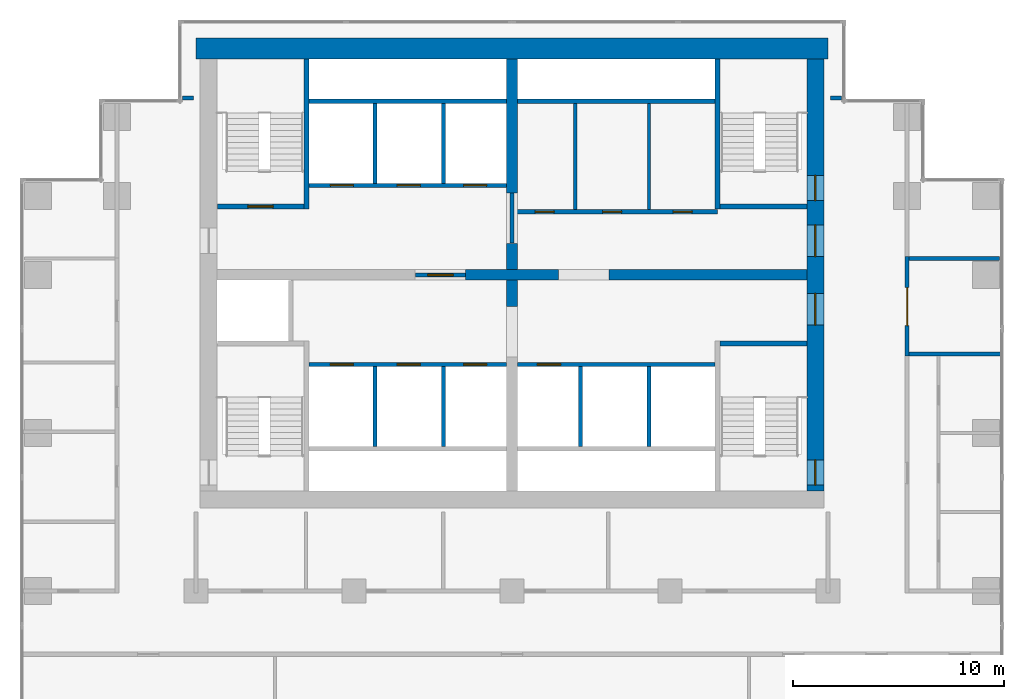
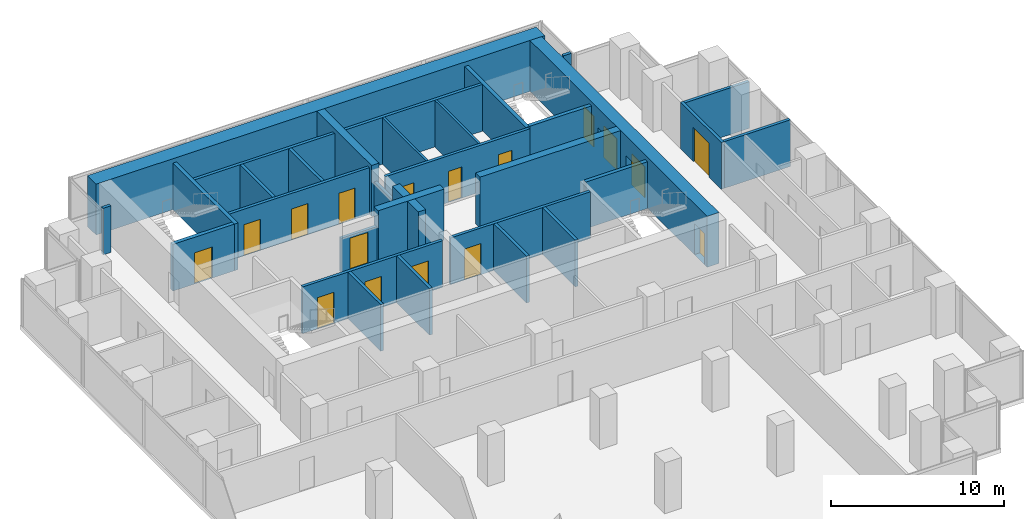
# One storey, part 8 of 10: 33 walls, 17 doors, 17 openings.
"""IFC4 building model written with IfcOpenShell, lengths in metres."""

from ifc_helpers import new_model, si_unit, direction, frame, frame_2d, origin, place, context, subcontext, project, spatial, rectangle, extrude, material, layer, layer_set, type_object, element, fill, save


model = new_model("IFC4")

# Units and contexts
model_context = context("Model", 3, precision=1e-05, world=origin(), true_north=direction((0.0, 1.0)))
body_context = subcontext(model_context, "Body", "Model", "MODEL_VIEW")
ifc_project = project(units=[si_unit("LENGTHUNIT", "METRE"), si_unit("AREAUNIT", "SQUARE_METRE"), si_unit("VOLUMEUNIT", "CUBIC_METRE"), si_unit("PLANEANGLEUNIT", "RADIAN"), si_unit("MASSUNIT", "GRAM", prefix="KILO")], contexts=[model_context])

# Site, building, storey
site_placement = place(None, origin())
site = spatial("IfcSite", under=ifc_project, at=site_placement, CompositionType="ELEMENT")
building_placement = place(site_placement, origin())
building = spatial("IfcBuilding", under=site, at=building_placement, Name="Pilkhan Gate Tower", CompositionType="ELEMENT")
storey_placement = place(building_placement, frame((0.0, 0.0, 114.39990234375)))
storey = spatial("IfcBuildingStorey", under=building, at=storey_placement, Name="L28", CompositionType="ELEMENT", Elevation=114.39990234375)

# Wall
ifc_material_1 = material(Name="Concrete C60/75", Category="concrete")
ifc_layer_1 = layer(ifc_material_1, 1.0)
ifc_layer_set_1 = layer_set([ifc_layer_1], Name="Core wall CW1000 C60/75")
wall_type_1 = type_object("IfcWallType", Name="Core wall CW1000 C60/75", PredefinedType="SHEAR", material=ifc_layer_set_1)
wall_1_placement = place(storey_placement, frame((90.0, 93.25, 0.0), z_axis=(0.0, 0.0, 1.0), x_axis=(-1.0, 0.0, 0.0)))
element("IfcWall", 1, at=wall_1_placement, inside=storey, type_object=wall_type_1, Name="Core wall N L28", PredefinedType="SHEAR", context=body_context, shape_type="SweptSolid", body=[
    extrude(rectangle(XDim=30.0, YDim=1.0, at=frame_2d((15.0, 0.0))), origin(), (0.0, 0.0, 1.0), 3.60009765625),
])

# Wall, openings, doors
ifc_layer_2 = layer(ifc_material_1, 0.800048828125)
ifc_layer_set_2 = layer_set([ifc_layer_2], Name="Core wall CW800 C60/75")
wall_type_2 = type_object("IfcWallType", Name="Core wall CW800 C60/75", PredefinedType="SHEAR", material=ifc_layer_set_2)
wall_2_placement = place(storey_placement, frame((89.39990234375, 72.25, 0.0), z_axis=(0.0, 0.0, 1.0), x_axis=(0.0, 1.0, 0.0)))
wall_2 = element("IfcWall", 2, at=wall_2_placement, inside=storey, type_object=wall_type_2, Name="Core wall E L28", PredefinedType="SHEAR", context=body_context, shape_type="SweptSolid", body=[
    extrude(rectangle(XDim=20.5, YDim=0.800048828125, at=frame_2d((10.25, 0.0))), origin(), (0.0, 0.0, 1.0), 3.60009765625),
])
opening_1_placement = place(wall_2_placement, frame((0.27490234375, 0.0, 0.0)))
opening_1 = element("IfcOpeningElement", 3, at=opening_1_placement, cuts=wall_2, Name="Opening L28-03", PredefinedType="OPENING", context=body_context, shape_type="SweptSolid", body=[
    extrude(rectangle(XDim=1.199951171875, YDim=2.199951171875, at=frame_2d((0.60009765625, 1.10009765625))), frame((0.0, 0.409912109375, 0.0), z_axis=(0.0, -1.0, 0.0), x_axis=(1.0, 0.0, 0.0)), (0.0, 0.0, 1.0), 0.820068359375),
])
opening_2_placement = place(wall_2_placement, frame((13.77490234375, 0.0, 0.0)))
opening_2 = element("IfcOpeningElement", 4, at=opening_2_placement, cuts=wall_2, Name="Opening L28-05", PredefinedType="OPENING", context=body_context, shape_type="SweptSolid", body=[
    extrude(rectangle(XDim=1.199951171875, YDim=2.199951171875, at=frame_2d((0.60009765625, 1.10009765625))), frame((0.0, 0.409912109375, 0.0), z_axis=(0.0, -1.0, 0.0), x_axis=(1.0, 0.0, 0.0)), (0.0, 0.0, 1.0), 0.820068359375),
])
opening_3_placement = place(wall_2_placement, frame((7.875, 0.0, 0.0)))
opening_3 = element("IfcOpeningElement", 5, at=opening_3_placement, cuts=wall_2, Name="Opening L28-08", PredefinedType="OPENING", context=body_context, shape_type="SweptSolid", body=[
    extrude(rectangle(XDim=1.5, YDim=2.199951171875, at=frame_2d((0.75, 1.10009765625))), frame((0.0, 0.409912109375, 0.0), z_axis=(0.0, -1.0, 0.0), x_axis=(1.0, 0.0, 0.0)), (0.0, 0.0, 1.0), 0.820068359375),
])
opening_4_placement = place(wall_2_placement, frame((11.125, 0.0, 0.0)))
opening_4 = element("IfcOpeningElement", 6, at=opening_4_placement, cuts=wall_2, Name="Opening L28-10", PredefinedType="OPENING", context=body_context, shape_type="SweptSolid", body=[
    extrude(rectangle(XDim=1.5, YDim=2.199951171875, at=frame_2d((0.75, 1.10009765625))), frame((0.0, 0.409912109375, 0.0), z_axis=(0.0, -1.0, 0.0), x_axis=(1.0, 0.0, 0.0)), (0.0, 0.0, 1.0), 0.820068359375),
])
ifc_material_2 = material(Name="Steel framed glazed door, 60 minute fire resisting", Category="steel")
door_type_1 = type_object("IfcDoorType", Name="Lobby door D09 1500x2200", OperationType="DOUBLE_DOOR_SINGLE_SWING", PredefinedType="DOOR", material=ifc_material_2)
door_1_placement = place(opening_3_placement, origin())
door_1 = element("IfcDoor", 7, at=door_1_placement, inside=storey, type_object=door_type_1, Name="Core door", OperationType="DOUBLE_DOOR_SINGLE_SWING", OverallHeight=2.199951171875, OverallWidth=1.5, PredefinedType="DOOR", context=body_context, shape_type="SweptSolid", body=[
    extrude(rectangle(XDim=1.5, YDim=2.199951171875, at=frame_2d((0.75, 1.10009765625))), frame((0.0, 0.02490234375, 0.0), z_axis=(0.0, -1.0, 0.0), x_axis=(1.0, 0.0, 0.0)), (0.0, 0.0, 1.0), 0.050048828125),
])
fill(opening_3, door_1)
door_2_placement = place(opening_4_placement, origin())
door_2 = element("IfcDoor", 8, at=door_2_placement, inside=storey, type_object=door_type_1, Name="Core door", OperationType="DOUBLE_DOOR_SINGLE_SWING", OverallHeight=2.199951171875, OverallWidth=1.5, PredefinedType="DOOR", context=body_context, shape_type="SweptSolid", body=[
    extrude(rectangle(XDim=1.5, YDim=2.199951171875, at=frame_2d((0.75, 1.10009765625))), frame((0.0, 0.02490234375, 0.0), z_axis=(0.0, -1.0, 0.0), x_axis=(1.0, 0.0, 0.0)), (0.0, 0.0, 1.0), 0.050048828125),
])
fill(opening_4, door_2)
ifc_material_3 = material(Name="Steel door, 120 minute fire resisting, panic bar", Category="steel")
door_type_2 = type_object("IfcDoorType", Name="Stair door D11 1200x2200", OperationType="SINGLE_SWING_LEFT", PredefinedType="DOOR", material=ifc_material_3)
door_3_placement = place(opening_1_placement, origin())
door_3 = element("IfcDoor", 9, at=door_3_placement, inside=storey, type_object=door_type_2, Name="Stair ST1 door", OperationType="SINGLE_SWING_LEFT", OverallHeight=2.199951171875, OverallWidth=1.199951171875, PredefinedType="DOOR", context=body_context, shape_type="SweptSolid", body=[
    extrude(rectangle(XDim=1.199951171875, YDim=2.199951171875, at=frame_2d((0.60009765625, 1.10009765625))), frame((0.0, 0.02490234375, 0.0), z_axis=(0.0, -1.0, 0.0), x_axis=(1.0, 0.0, 0.0)), (0.0, 0.0, 1.0), 0.050048828125),
])
fill(opening_1, door_3)
door_4_placement = place(opening_2_placement, origin())
door_4 = element("IfcDoor", 10, at=door_4_placement, inside=storey, type_object=door_type_2, Name="Stair ST4 door", OperationType="SINGLE_SWING_LEFT", OverallHeight=2.199951171875, OverallWidth=1.199951171875, PredefinedType="DOOR", context=body_context, shape_type="SweptSolid", body=[
    extrude(rectangle(XDim=1.199951171875, YDim=2.199951171875, at=frame_2d((0.60009765625, 1.10009765625))), frame((0.0, 0.02490234375, 0.0), z_axis=(0.0, -1.0, 0.0), x_axis=(1.0, 0.0, 0.0)), (0.0, 0.0, 1.0), 0.050048828125),
])
fill(opening_2, door_4)

# Walls
ifc_material_4 = material(Name="Dense blockwork", Category="masonry")
ifc_layer_3 = layer(ifc_material_4, 0.199951171875)
ifc_layer_set_3 = layer_set([ifc_layer_3], Name="Corridor wall FW200")
wall_type_3 = type_object("IfcWallType", Name="Corridor wall FW200", PredefinedType="PARTITIONING", material=ifc_layer_set_3)
for number, where, z_axis, x_axis, name in (
    (11, (59.35498046875, 90.89990234375, 0.0), (0.0, 0.0, 1.0), (1.0, 0.0, 0.0), "Partition L28"),
    (12, (90.1201171875, 90.89990234375, 0.0), (0.0, 0.0, 1.0), (1.0, 0.0, 0.0), "Partition L28"),
):
    element("IfcWall", number, at=place(storey_placement, frame(where, z_axis=z_axis, x_axis=x_axis)), inside=storey, type_object=wall_type_3, Name=name, PredefinedType="PARTITIONING", context=body_context, shape_type="SweptSolid", body=[
        extrude(rectangle(XDim=0.52490234375, YDim=0.199951171875, at=frame_2d((0.262451171875, 0.0))), origin(), (0.0, 0.0, 1.0), 3.300048828125),
    ])
ifc_layer_4 = layer(ifc_material_4, 0.199951171875)
ifc_layer_set_4 = layer_set([ifc_layer_4], Name="Lobby wall LW200")
wall_type_4 = type_object("IfcWallType", Name="Lobby wall LW200", PredefinedType="PARTITIONING", material=ifc_layer_set_4)
wall_3_placement = place(storey_placement, frame((93.85009765625, 78.75, 0.0), z_axis=(0.0, 0.0, 1.0), x_axis=(1.0, 0.0, 0.0)))
element("IfcWall", 13, at=wall_3_placement, inside=storey, type_object=wall_type_4, Name="Partition L28", PredefinedType="PARTITIONING", context=body_context, shape_type="SweptSolid", body=[
    extrude(rectangle(XDim=4.414794921875, YDim=0.199951171875, at=frame_2d((2.20751953125, 0.0))), origin(), (0.0, 0.0, 1.0), 3.300048828125),
])

# Wall, opening, door
wall_4_placement = place(storey_placement, frame((70.409912109375, 82.5, 0.0), z_axis=(0.0, 0.0, 1.0), x_axis=(1.0, 0.0, 0.0)))
wall_4 = element("IfcWall", 14, at=wall_4_placement, inside=storey, type_object=wall_type_4, Name="Partition L28", PredefinedType="PARTITIONING", context=body_context, shape_type="SweptSolid", body=[
    extrude(rectangle(XDim=2.380126953125, YDim=0.199951171875, at=frame_2d((1.18994140625, 0.0))), origin(), (0.0, 0.0, 1.0), 2.400146484375),
])
opening_5_placement = place(wall_4_placement, frame((0.60009765625, 0.0, 0.0)))
opening_5 = element("IfcOpeningElement", 15, at=opening_5_placement, cuts=wall_4, Name="Opening L28-01", PredefinedType="OPENING", context=body_context, shape_type="SweptSolid", body=[
    extrude(rectangle(XDim=1.199951171875, YDim=2.199951171875, at=frame_2d((0.60009765625, 1.10009765625))), frame((0.0, 0.10986328125, 0.0), z_axis=(0.0, -1.0, 0.0), x_axis=(1.0, 0.0, 0.0)), (0.0, 0.0, 1.0), 0.219970703125),
])
ifc_material_5 = material(Name="Steel door, 120 minute fire resisting, self-closing", Category="steel")
door_type_3 = type_object("IfcDoorType", Name="Firefighting lobby door D10 1200x2200", OperationType="SINGLE_SWING_LEFT", PredefinedType="DOOR", material=ifc_material_5)
door_5_placement = place(opening_5_placement, origin())
door_5 = element("IfcDoor", 16, at=door_5_placement, inside=storey, type_object=door_type_3, Name="Firefighting lobby door", OperationType="SINGLE_SWING_RIGHT", OverallHeight=2.199951171875, OverallWidth=1.199951171875, PredefinedType="DOOR", context=body_context, shape_type="SweptSolid", body=[
    extrude(rectangle(XDim=1.199951171875, YDim=2.199951171875, at=frame_2d((0.60009765625, 1.10009765625))), frame((0.0, 0.02490234375, 0.0), z_axis=(0.0, -1.0, 0.0), x_axis=(1.0, 0.0, 0.0)), (0.0, 0.0, 1.0), 0.050048828125),
])
fill(opening_5, door_5)

# Wall
wall_5_placement = place(storey_placement, frame((93.85009765625, 83.280029296875, 0.0), z_axis=(0.0, 0.0, 1.0), x_axis=(1.0, 0.0, 0.0)))
element("IfcWall", 17, at=wall_5_placement, inside=storey, type_object=wall_type_4, Name="Partition L28", PredefinedType="PARTITIONING", context=body_context, shape_type="SweptSolid", body=[
    extrude(rectangle(XDim=4.294921875, YDim=0.199951171875, at=frame_2d((2.1474609375, 0.0))), origin(), (0.0, 0.0, 1.0), 3.300048828125),
])

# Wall, openings, doors
wall_6_placement = place(storey_placement, frame((75.10009765625, 85.5, 0.0), z_axis=(0.0, 0.0, 1.0), x_axis=(1.0, 0.0, 0.0)))
wall_6 = element("IfcWall", 18, at=wall_6_placement, inside=storey, type_object=wall_type_4, Name="Partition L28", PredefinedType="PARTITIONING", context=body_context, shape_type="SweptSolid", body=[
    extrude(rectangle(XDim=9.64990234375, YDim=0.199951171875, at=frame_2d((4.824951171875, 0.0))), origin(), (0.0, 0.0, 1.0), 3.300048828125),
])
opening_6_placement = place(wall_6_placement, frame((1.0, 0.0, 0.0)))
opening_6 = element("IfcOpeningElement", 19, at=opening_6_placement, cuts=wall_6, Name="Opening L28-11", PredefinedType="OPENING", context=body_context, shape_type="SweptSolid", body=[
    extrude(rectangle(XDim=0.89990234375, YDim=2.199951171875, at=frame_2d((0.449951171875, 1.10009765625))), frame((0.0, 0.10986328125, 0.0), z_axis=(0.0, -1.0, 0.0), x_axis=(1.0, 0.0, 0.0)), (0.0, 0.0, 1.0), 0.219970703125),
])
opening_7_placement = place(wall_6_placement, frame((4.199951171875, 0.0, 0.0)))
opening_7 = element("IfcOpeningElement", 20, at=opening_7_placement, cuts=wall_6, Name="Opening L28-12", PredefinedType="OPENING", context=body_context, shape_type="SweptSolid", body=[
    extrude(rectangle(XDim=0.89990234375, YDim=2.199951171875, at=frame_2d((0.449951171875, 1.10009765625))), frame((0.0, 0.10986328125, 0.0), z_axis=(0.0, -1.0, 0.0), x_axis=(1.0, 0.0, 0.0)), (0.0, 0.0, 1.0), 0.219970703125),
])
opening_8_placement = place(wall_6_placement, frame((7.550048828125, 0.0, 0.0)))
opening_8 = element("IfcOpeningElement", 21, at=opening_8_placement, cuts=wall_6, Name="Opening L28-13", PredefinedType="OPENING", context=body_context, shape_type="SweptSolid", body=[
    extrude(rectangle(XDim=0.89990234375, YDim=2.199951171875, at=frame_2d((0.449951171875, 1.10009765625))), frame((0.0, 0.10986328125, 0.0), z_axis=(0.0, -1.0, 0.0), x_axis=(1.0, 0.0, 0.0)), (0.0, 0.0, 1.0), 0.219970703125),
])
ifc_material_6 = material(Name="Timber flush door, 60 minute fire resisting, self-closing", Category="wood")
door_type_4 = type_object("IfcDoorType", Name="Store door D05 900x2200", OperationType="SINGLE_SWING_LEFT", PredefinedType="DOOR", material=ifc_material_6)
door_6_placement = place(opening_7_placement, origin())
door_6 = element("IfcDoor", 22, at=door_6_placement, inside=storey, type_object=door_type_4, Name="Store door", OperationType="SINGLE_SWING_LEFT", OverallHeight=2.199951171875, OverallWidth=0.89990234375, PredefinedType="DOOR", context=body_context, shape_type="SweptSolid", body=[
    extrude(rectangle(XDim=0.89990234375, YDim=2.199951171875, at=frame_2d((0.449951171875, 1.10009765625))), frame((0.0, 0.02490234375, 0.0), z_axis=(0.0, -1.0, 0.0), x_axis=(1.0, 0.0, 0.0)), (0.0, 0.0, 1.0), 0.050048828125),
])
fill(opening_7, door_6)
door_7_placement = place(opening_8_placement, origin())
door_7 = element("IfcDoor", 23, at=door_7_placement, inside=storey, type_object=door_type_4, Name="Store door", OperationType="SINGLE_SWING_LEFT", OverallHeight=2.199951171875, OverallWidth=0.89990234375, PredefinedType="DOOR", context=body_context, shape_type="SweptSolid", body=[
    extrude(rectangle(XDim=0.89990234375, YDim=2.199951171875, at=frame_2d((0.449951171875, 1.10009765625))), frame((0.0, 0.02490234375, 0.0), z_axis=(0.0, -1.0, 0.0), x_axis=(1.0, 0.0, 0.0)), (0.0, 0.0, 1.0), 0.050048828125),
])
fill(opening_8, door_7)
ifc_material_7 = material(Name="Timber flush door, 30 minute fire resisting", Category="wood")
door_type_5 = type_object("IfcDoorType", Name="Toilet door D06 900x2200", OperationType="SINGLE_SWING_LEFT", PredefinedType="DOOR", material=ifc_material_7)
door_8_placement = place(opening_6_placement, origin())
door_8 = element("IfcDoor", 24, at=door_8_placement, inside=storey, type_object=door_type_5, Name="Toilet door", OperationType="SINGLE_SWING_RIGHT", OverallHeight=2.199951171875, OverallWidth=0.89990234375, PredefinedType="DOOR", context=body_context, shape_type="SweptSolid", body=[
    extrude(rectangle(XDim=0.89990234375, YDim=2.199951171875, at=frame_2d((0.449951171875, 1.10009765625))), frame((0.0, 0.02490234375, 0.0), z_axis=(0.0, -1.0, 0.0), x_axis=(1.0, 0.0, 0.0)), (0.0, 0.0, 1.0), 0.050048828125),
])
fill(opening_6, door_8)

# Walls
wall_7_placement = place(storey_placement, frame((75.260009765625, 90.75, 0.0), z_axis=(0.0, 0.0, 1.0), x_axis=(1.0, 0.0, 0.0)))
element("IfcWall", 25, at=wall_7_placement, inside=storey, type_object=wall_type_4, Name="Partition L28", PredefinedType="PARTITIONING", context=body_context, shape_type="SweptSolid", body=[
    extrude(rectangle(XDim=9.364990234375, YDim=0.199951171875, at=frame_2d((4.6826171875, 0.0))), origin(), (0.0, 0.0, 1.0), 3.300048828125),
])
wall_8_placement = place(storey_placement, frame((75.0, 84.010009765625, 0.0), z_axis=(0.0, 0.0, 1.0), x_axis=(0.0, 1.0, 0.0)))
element("IfcWall", 26, at=wall_8_placement, inside=storey, type_object=wall_type_4, Name="Partition L28", PredefinedType="PARTITIONING", context=body_context, shape_type="SweptSolid", body=[
    extrude(rectangle(XDim=2.3798828125, YDim=0.199951171875, at=frame_2d((1.18994140625, 0.0))), origin(), (0.0, 0.0, 1.0), 2.400146484375),
])

# Wall, opening, door
wall_9_placement = place(storey_placement, frame((93.75, 78.64990234375, 0.0), z_axis=(0.0, 0.0, 1.0), x_axis=(0.0, 1.0, 0.0)))
wall_9 = element("IfcWall", 27, at=wall_9_placement, inside=storey, type_object=wall_type_4, Name="Partition L28", PredefinedType="PARTITIONING", context=body_context, shape_type="SweptSolid", body=[
    extrude(rectangle(XDim=4.72998046875, YDim=0.199951171875, at=frame_2d((2.364990234375, 0.0))), origin(), (0.0, 0.0, 1.0), 3.300048828125),
])
opening_9_placement = place(wall_9_placement, frame((1.449951171875, 0.0, 0.0)))
opening_9 = element("IfcOpeningElement", 28, at=opening_9_placement, cuts=wall_9, Name="Opening L28-26", PredefinedType="OPENING", context=body_context, shape_type="SweptSolid", body=[
    extrude(rectangle(XDim=1.800048828125, YDim=2.39990234375, at=frame_2d((0.89990234375, 1.199951171875))), frame((0.0, 0.10986328125, 0.0), z_axis=(0.0, -1.0, 0.0), x_axis=(1.0, 0.0, 0.0)), (0.0, 0.0, 1.0), 0.219970703125),
])
ifc_material_8 = material(Name="Steel door, 120 minute fire resisting", Category="steel")
door_type_6 = type_object("IfcDoorType", Name="Plant room door D08 1800x2400", OperationType="DOUBLE_DOOR_SINGLE_SWING", PredefinedType="DOOR", material=ifc_material_8)
door_9_placement = place(opening_9_placement, origin())
door_9 = element("IfcDoor", 29, at=door_9_placement, inside=storey, type_object=door_type_6, Name="Plant room door", OperationType="DOUBLE_DOOR_SINGLE_SWING", OverallHeight=2.39990234375, OverallWidth=1.800048828125, PredefinedType="DOOR", context=body_context, shape_type="SweptSolid", body=[
    extrude(rectangle(XDim=1.800048828125, YDim=2.39990234375, at=frame_2d((0.89990234375, 1.199951171875))), frame((0.0, 0.02490234375, 0.0), z_axis=(0.0, -1.0, 0.0), x_axis=(1.0, 0.0, 0.0)), (0.0, 0.0, 1.0), 0.050048828125),
])
fill(opening_9, door_9)

# Walls
ifc_material_9 = material(Name="Blockwork partition, plastered both sides", Category="masonry")
ifc_layer_5 = layer(ifc_material_9, 0.14990234375)
ifc_layer_set_5 = layer_set([ifc_layer_5], Name="Partition PW150")
wall_type_5 = type_object("IfcWallType", Name="Partition PW150", PredefinedType="PARTITIONING", material=ifc_layer_set_5)
for number, where, z_axis, x_axis, name in (
    (30, (78.0, 85.60009765625, 0.0), (0.0, 0.0, 1.0), (0.0, 1.0, 0.0), "Partition L28"),
    (31, (81.5, 85.60009765625, 0.0), (0.0, 0.0, 1.0), (0.0, 1.0, 0.0), "Partition L28"),
):
    element("IfcWall", number, at=place(storey_placement, frame(where, z_axis=z_axis, x_axis=x_axis)), inside=storey, type_object=wall_type_5, Name=name, PredefinedType="PARTITIONING", context=body_context, shape_type="SweptSolid", body=[
        extrude(rectangle(XDim=5.0498046875, YDim=0.14990234375, at=frame_2d((2.52490234375, 0.0))), origin(), (0.0, 0.0, 1.0), 3.300048828125),
    ])

# Wall, openings, doors
ifc_material_10 = material(Name="Reinforced blockwork shaft wall, 120 minute fire resisting", Category="masonry")
ifc_layer_6 = layer(ifc_material_10, 0.199951171875)
ifc_layer_set_6 = layer_set([ifc_layer_6], Name="Shaft wall SW200")
wall_type_6 = type_object("IfcWallType", Name="Shaft wall SW200", PredefinedType="PARTITIONING", material=ifc_layer_set_6)
wall_10_placement = place(storey_placement, frame((65.375, 78.25, 0.0), z_axis=(0.0, 0.0, 1.0), x_axis=(1.0, 0.0, 0.0)))
wall_10 = element("IfcWall", 32, at=wall_10_placement, inside=storey, type_object=wall_type_6, Name="Partition L28", PredefinedType="PARTITIONING", context=body_context, shape_type="SweptSolid", body=[
    extrude(rectangle(XDim=9.364990234375, YDim=0.199951171875, at=frame_2d((4.6826171875, 0.0))), origin(), (0.0, 0.0, 1.0), 3.300048828125),
])
opening_10_placement = place(wall_10_placement, frame((1.0, 0.0, 0.0)))
opening_10 = element("IfcOpeningElement", 33, at=opening_10_placement, cuts=wall_10, Name="Opening LD", PredefinedType="OPENING", context=body_context, shape_type="SweptSolid", body=[
    extrude(rectangle(XDim=1.10009765625, YDim=2.199951171875, at=frame_2d((0.550048828125, 1.10009765625))), frame((0.0, 0.10986328125, 0.0), z_axis=(0.0, -1.0, 0.0), x_axis=(1.0, 0.0, 0.0)), (0.0, 0.0, 1.0), 0.219970703125),
])
opening_11_placement = place(wall_10_placement, frame((4.175048828125, 0.0, 0.0)))
opening_11 = element("IfcOpeningElement", 34, at=opening_11_placement, cuts=wall_10, Name="Opening LD", PredefinedType="OPENING", context=body_context, shape_type="SweptSolid", body=[
    extrude(rectangle(XDim=1.10009765625, YDim=2.199951171875, at=frame_2d((0.550048828125, 1.10009765625))), frame((0.0, 0.10986328125, 0.0), z_axis=(0.0, -1.0, 0.0), x_axis=(1.0, 0.0, 0.0)), (0.0, 0.0, 1.0), 0.219970703125),
])
opening_12_placement = place(wall_10_placement, frame((7.324951171875, 0.0, 0.0)))
opening_12 = element("IfcOpeningElement", 35, at=opening_12_placement, cuts=wall_10, Name="Opening LD", PredefinedType="OPENING", context=body_context, shape_type="SweptSolid", body=[
    extrude(rectangle(XDim=1.10009765625, YDim=2.199951171875, at=frame_2d((0.550048828125, 1.10009765625))), frame((0.0, 0.10986328125, 0.0), z_axis=(0.0, -1.0, 0.0), x_axis=(1.0, 0.0, 0.0)), (0.0, 0.0, 1.0), 0.219970703125),
])
ifc_material_11 = material(Name="Stainless steel centre-opening landing door, 120 minute fire resisting", Category="steel")
door_type_7 = type_object("IfcDoorType", Name="Lift landing door LD 1100x2200", OperationType="DOUBLE_DOOR_SLIDING", PredefinedType="DOOR", material=ifc_material_11)
door_10_placement = place(opening_10_placement, origin())
door_10 = element("IfcDoor", 36, at=door_10_placement, inside=storey, type_object=door_type_7, Name="Landing door LR1", OperationType="DOUBLE_DOOR_SLIDING", OverallHeight=2.199951171875, OverallWidth=1.10009765625, PredefinedType="DOOR", context=body_context, shape_type="SweptSolid", body=[
    extrude(rectangle(XDim=1.10009765625, YDim=2.199951171875, at=frame_2d((0.550048828125, 1.10009765625))), frame((0.0, 0.02490234375, 0.0), z_axis=(0.0, -1.0, 0.0), x_axis=(1.0, 0.0, 0.0)), (0.0, 0.0, 1.0), 0.050048828125),
])
fill(opening_10, door_10)
door_11_placement = place(opening_11_placement, origin())
door_11 = element("IfcDoor", 37, at=door_11_placement, inside=storey, type_object=door_type_7, Name="Landing door LR2", OperationType="DOUBLE_DOOR_SLIDING", OverallHeight=2.199951171875, OverallWidth=1.10009765625, PredefinedType="DOOR", context=body_context, shape_type="SweptSolid", body=[
    extrude(rectangle(XDim=1.10009765625, YDim=2.199951171875, at=frame_2d((0.550048828125, 1.10009765625))), frame((0.0, 0.02490234375, 0.0), z_axis=(0.0, -1.0, 0.0), x_axis=(1.0, 0.0, 0.0)), (0.0, 0.0, 1.0), 0.050048828125),
])
fill(opening_11, door_11)
door_12_placement = place(opening_12_placement, origin())
door_12 = element("IfcDoor", 38, at=door_12_placement, inside=storey, type_object=door_type_7, Name="Landing door LR3", OperationType="DOUBLE_DOOR_SLIDING", OverallHeight=2.199951171875, OverallWidth=1.10009765625, PredefinedType="DOOR", context=body_context, shape_type="SweptSolid", body=[
    extrude(rectangle(XDim=1.10009765625, YDim=2.199951171875, at=frame_2d((0.550048828125, 1.10009765625))), frame((0.0, 0.02490234375, 0.0), z_axis=(0.0, -1.0, 0.0), x_axis=(1.0, 0.0, 0.0)), (0.0, 0.0, 1.0), 0.050048828125),
])
fill(opening_12, door_12)

# Wall, opening, door
wall_11_placement = place(storey_placement, frame((75.260009765625, 78.25, 0.0), z_axis=(0.0, 0.0, 1.0), x_axis=(1.0, 0.0, 0.0)))
wall_11 = element("IfcWall", 39, at=wall_11_placement, inside=storey, type_object=wall_type_6, Name="Partition L28", PredefinedType="PARTITIONING", context=body_context, shape_type="SweptSolid", body=[
    extrude(rectangle(XDim=9.364990234375, YDim=0.199951171875, at=frame_2d((4.6826171875, 0.0))), origin(), (0.0, 0.0, 1.0), 3.300048828125),
])
opening_13_placement = place(wall_11_placement, frame((0.949951171875, 0.0, 0.0)))
opening_13 = element("IfcOpeningElement", 40, at=opening_13_placement, cuts=wall_11, Name="Opening LD", PredefinedType="OPENING", context=body_context, shape_type="SweptSolid", body=[
    extrude(rectangle(XDim=1.10009765625, YDim=2.199951171875, at=frame_2d((0.550048828125, 1.10009765625))), frame((0.0, 0.10986328125, 0.0), z_axis=(0.0, -1.0, 0.0), x_axis=(1.0, 0.0, 0.0)), (0.0, 0.0, 1.0), 0.219970703125),
])
door_13_placement = place(opening_13_placement, origin())
door_13 = element("IfcDoor", 41, at=door_13_placement, inside=storey, type_object=door_type_7, Name="Landing door LR4", OperationType="DOUBLE_DOOR_SLIDING", OverallHeight=2.199951171875, OverallWidth=1.10009765625, PredefinedType="DOOR", context=body_context, shape_type="SweptSolid", body=[
    extrude(rectangle(XDim=1.10009765625, YDim=2.199951171875, at=frame_2d((0.550048828125, 1.10009765625))), frame((0.0, 0.02490234375, 0.0), z_axis=(0.0, -1.0, 0.0), x_axis=(1.0, 0.0, 0.0)), (0.0, 0.0, 1.0), 0.050048828125),
])
fill(opening_13, door_13)

# Wall, openings, doors
wall_12_placement = place(storey_placement, frame((65.375, 86.75, 0.0), z_axis=(0.0, 0.0, 1.0), x_axis=(1.0, 0.0, 0.0)))
wall_12 = element("IfcWall", 42, at=wall_12_placement, inside=storey, type_object=wall_type_6, Name="Partition L28", PredefinedType="PARTITIONING", context=body_context, shape_type="SweptSolid", body=[
    extrude(rectangle(XDim=9.364990234375, YDim=0.199951171875, at=frame_2d((4.6826171875, 0.0))), origin(), (0.0, 0.0, 1.0), 3.300048828125),
])
opening_14_placement = place(wall_12_placement, frame((1.0, 0.0, 0.0)))
opening_14 = element("IfcOpeningElement", 43, at=opening_14_placement, cuts=wall_12, Name="Opening LD", PredefinedType="OPENING", context=body_context, shape_type="SweptSolid", body=[
    extrude(rectangle(XDim=1.10009765625, YDim=2.199951171875, at=frame_2d((0.550048828125, 1.10009765625))), frame((0.0, 0.10986328125, 0.0), z_axis=(0.0, -1.0, 0.0), x_axis=(1.0, 0.0, 0.0)), (0.0, 0.0, 1.0), 0.219970703125),
])
opening_15_placement = place(wall_12_placement, frame((4.175048828125, 0.0, 0.0)))
opening_15 = element("IfcOpeningElement", 44, at=opening_15_placement, cuts=wall_12, Name="Opening LD", PredefinedType="OPENING", context=body_context, shape_type="SweptSolid", body=[
    extrude(rectangle(XDim=1.10009765625, YDim=2.199951171875, at=frame_2d((0.550048828125, 1.10009765625))), frame((0.0, 0.10986328125, 0.0), z_axis=(0.0, -1.0, 0.0), x_axis=(1.0, 0.0, 0.0)), (0.0, 0.0, 1.0), 0.219970703125),
])
opening_16_placement = place(wall_12_placement, frame((7.324951171875, 0.0, 0.0)))
opening_16 = element("IfcOpeningElement", 45, at=opening_16_placement, cuts=wall_12, Name="Opening LD", PredefinedType="OPENING", context=body_context, shape_type="SweptSolid", body=[
    extrude(rectangle(XDim=1.10009765625, YDim=2.199951171875, at=frame_2d((0.550048828125, 1.10009765625))), frame((0.0, 0.10986328125, 0.0), z_axis=(0.0, -1.0, 0.0), x_axis=(1.0, 0.0, 0.0)), (0.0, 0.0, 1.0), 0.219970703125),
])
door_14_placement = place(opening_14_placement, origin())
door_14 = element("IfcDoor", 46, at=door_14_placement, inside=storey, type_object=door_type_7, Name="Landing door FF1", OperationType="DOUBLE_DOOR_SLIDING", OverallHeight=2.199951171875, OverallWidth=1.10009765625, PredefinedType="DOOR", context=body_context, shape_type="SweptSolid", body=[
    extrude(rectangle(XDim=1.10009765625, YDim=2.199951171875, at=frame_2d((0.550048828125, 1.10009765625))), frame((0.0, 0.02490234375, 0.0), z_axis=(0.0, -1.0, 0.0), x_axis=(1.0, 0.0, 0.0)), (0.0, 0.0, 1.0), 0.050048828125),
])
fill(opening_14, door_14)
door_15_placement = place(opening_15_placement, origin())
door_15 = element("IfcDoor", 47, at=door_15_placement, inside=storey, type_object=door_type_7, Name="Landing door FF2", OperationType="DOUBLE_DOOR_SLIDING", OverallHeight=2.199951171875, OverallWidth=1.10009765625, PredefinedType="DOOR", context=body_context, shape_type="SweptSolid", body=[
    extrude(rectangle(XDim=1.10009765625, YDim=2.199951171875, at=frame_2d((0.550048828125, 1.10009765625))), frame((0.0, 0.02490234375, 0.0), z_axis=(0.0, -1.0, 0.0), x_axis=(1.0, 0.0, 0.0)), (0.0, 0.0, 1.0), 0.050048828125),
])
fill(opening_15, door_15)
door_16_placement = place(opening_16_placement, origin())
door_16 = element("IfcDoor", 48, at=door_16_placement, inside=storey, type_object=door_type_7, Name="Landing door SV1", OperationType="DOUBLE_DOOR_SLIDING", OverallHeight=2.199951171875, OverallWidth=1.10009765625, PredefinedType="DOOR", context=body_context, shape_type="SweptSolid", body=[
    extrude(rectangle(XDim=1.10009765625, YDim=2.199951171875, at=frame_2d((0.550048828125, 1.10009765625))), frame((0.0, 0.02490234375, 0.0), z_axis=(0.0, -1.0, 0.0), x_axis=(1.0, 0.0, 0.0)), (0.0, 0.0, 1.0), 0.050048828125),
])
fill(opening_16, door_16)

# Walls
wall_13_placement = place(storey_placement, frame((65.375, 90.75, 0.0), z_axis=(0.0, 0.0, 1.0), x_axis=(1.0, 0.0, 0.0)))
element("IfcWall", 49, at=wall_13_placement, inside=storey, type_object=wall_type_6, Name="Partition L28", PredefinedType="PARTITIONING", context=body_context, shape_type="SweptSolid", body=[
    extrude(rectangle(XDim=9.364990234375, YDim=0.199951171875, at=frame_2d((4.6826171875, 0.0))), origin(), (0.0, 0.0, 1.0), 3.300048828125),
])
for number, where, z_axis, x_axis, name in (
    (50, (68.5, 74.35009765625, 0.0), (0.0, 0.0, 1.0), (0.0, 1.0, 0.0), "Partition L28"),
    (51, (68.5, 86.85009765625, 0.0), (0.0, 0.0, 1.0), (0.0, 1.0, 0.0), "Partition L28"),
    (52, (71.75, 74.35009765625, 0.0), (0.0, 0.0, 1.0), (0.0, 1.0, 0.0), "Partition L28"),
    (53, (71.75, 86.85009765625, 0.0), (0.0, 0.0, 1.0), (0.0, 1.0, 0.0), "Partition L28"),
    (54, (78.25, 74.35009765625, 0.0), (0.0, 0.0, 1.0), (0.0, 1.0, 0.0), "Partition L28"),
    (55, (81.5, 74.35009765625, 0.0), (0.0, 0.0, 1.0), (0.0, 1.0, 0.0), "Partition L28"),
):
    element("IfcWall", number, at=place(storey_placement, frame(where, z_axis=z_axis, x_axis=x_axis)), inside=storey, type_object=wall_type_6, Name=name, PredefinedType="PARTITIONING", context=body_context, shape_type="SweptSolid", body=[
        extrude(rectangle(XDim=3.7998046875, YDim=0.199951171875, at=frame_2d((1.89990234375, 0.0))), origin(), (0.0, 0.0, 1.0), 3.300048828125),
    ])
ifc_layer_7 = layer(ifc_material_1, 0.5)
ifc_layer_set_7 = layer_set([ifc_layer_7], Name="Spine wall SW500 C60/75")
wall_type_7 = type_object("IfcWallType", Name="Spine wall SW500 C60/75", PredefinedType="SHEAR", material=ifc_layer_set_7)
wall_14_placement = place(storey_placement, frame((72.800048828125, 82.5, 0.0), z_axis=(0.0, 0.0, 1.0), x_axis=(1.0, 0.0, 0.0)))
element("IfcWall", 56, at=wall_14_placement, inside=storey, type_object=wall_type_7, Name="Spine wall SP-EW2 L28", PredefinedType="SHEAR", context=body_context, shape_type="SweptSolid", body=[
    extrude(rectangle(XDim=4.39990234375, YDim=0.5, at=frame_2d((2.199951171875, 0.0))), origin(), (0.0, 0.0, 1.0), 3.60009765625),
])
wall_15_placement = place(storey_placement, frame((79.60009765625, 82.5, 0.0), z_axis=(0.0, 0.0, 1.0), x_axis=(1.0, 0.0, 0.0)))
element("IfcWall", 57, at=wall_15_placement, inside=storey, type_object=wall_type_7, Name="Spine wall SP-EW3 L28", PredefinedType="SHEAR", context=body_context, shape_type="SweptSolid", body=[
    extrude(rectangle(XDim=9.39990234375, YDim=0.5, at=frame_2d((4.699951171875, 0.0))), origin(), (0.0, 0.0, 1.0), 3.60009765625),
])
for number, where, z_axis, x_axis, name in (
    (58, (75.0, 81.0, 0.0), (0.0, 0.0, 1.0), (0.0, 1.0, 0.0), "Spine wall SP-NS-S2 L28"),
    (59, (75.0, 82.75, 0.0), (0.0, 0.0, 1.0), (0.0, 1.0, 0.0), "Spine wall SP-NS-N1 L28"),
):
    element("IfcWall", number, at=place(storey_placement, frame(where, z_axis=z_axis, x_axis=x_axis)), inside=storey, type_object=wall_type_7, Name=name, PredefinedType="SHEAR", context=body_context, shape_type="SweptSolid", body=[
        extrude(rectangle(XDim=1.25, YDim=0.5, at=frame_2d((0.625, 0.0))), origin(), (0.0, 0.0, 1.0), 3.60009765625),
    ])
wall_16_placement = place(storey_placement, frame((75.0, 86.39990234375, 0.0), z_axis=(0.0, 0.0, 1.0), x_axis=(0.0, 1.0, 0.0)))
element("IfcWall", 60, at=wall_16_placement, inside=storey, type_object=wall_type_7, Name="Spine wall SP-NS-N2 L28", PredefinedType="SHEAR", context=body_context, shape_type="SweptSolid", body=[
    extrude(rectangle(XDim=6.35009765625, YDim=0.5, at=frame_2d((3.175048828125, 0.0))), origin(), (0.0, 0.0, 1.0), 3.60009765625),
])
ifc_material_12 = material(Name="Reinforced blockwork, 120 minute fire resisting", Category="masonry")
ifc_layer_8 = layer(ifc_material_12, 0.25)
ifc_layer_set_8 = layer_set([ifc_layer_8], Name="Stair enclosure wall SE250")
wall_type_8 = type_object("IfcWallType", Name="Stair enclosure wall SE250", PredefinedType="PARTITIONING", material=ifc_layer_set_8)
wall_17_placement = place(storey_placement, frame((84.875, 79.25, 0.0), z_axis=(0.0, 0.0, 1.0), x_axis=(1.0, 0.0, 0.0)))
element("IfcWall", 61, at=wall_17_placement, inside=storey, type_object=wall_type_8, Name="Partition L28", PredefinedType="PARTITIONING", context=body_context, shape_type="SweptSolid", body=[
    extrude(rectangle(XDim=4.125, YDim=0.25, at=frame_2d((2.0625, 0.0))), origin(), (0.0, 0.0, 1.0), 3.300048828125),
])

# Wall, opening, door
wall_18_placement = place(storey_placement, frame((61.010009765625, 85.75, 0.0), z_axis=(0.0, 0.0, 1.0), x_axis=(1.0, 0.0, 0.0)))
wall_18 = element("IfcWall", 62, at=wall_18_placement, inside=storey, type_object=wall_type_8, Name="Partition L28", PredefinedType="PARTITIONING", context=body_context, shape_type="SweptSolid", body=[
    extrude(rectangle(XDim=4.114990234375, YDim=0.25, at=frame_2d((2.0576171875, 0.0))), origin(), (0.0, 0.0, 1.0), 3.300048828125),
])
opening_17_placement = place(wall_18_placement, frame((1.449951171875, 0.0, 0.0)))
opening_17 = element("IfcOpeningElement", 63, at=opening_17_placement, cuts=wall_18, Name="Opening L28-02", PredefinedType="OPENING", context=body_context, shape_type="SweptSolid", body=[
    extrude(rectangle(XDim=1.199951171875, YDim=2.199951171875, at=frame_2d((0.60009765625, 1.10009765625))), frame((0.0, 0.135009765625, 0.0), z_axis=(0.0, -1.0, 0.0), x_axis=(1.0, 0.0, 0.0)), (0.0, 0.0, 1.0), 0.27001953125),
])
door_17_placement = place(opening_17_placement, origin())
door_17 = element("IfcDoor", 64, at=door_17_placement, inside=storey, type_object=door_type_2, Name="Stair ST3 lobby door", OperationType="SINGLE_SWING_LEFT", OverallHeight=2.199951171875, OverallWidth=1.199951171875, PredefinedType="DOOR", context=body_context, shape_type="SweptSolid", body=[
    extrude(rectangle(XDim=1.199951171875, YDim=2.199951171875, at=frame_2d((0.60009765625, 1.10009765625))), frame((0.0, 0.02490234375, 0.0), z_axis=(0.0, -1.0, 0.0), x_axis=(1.0, 0.0, 0.0)), (0.0, 0.0, 1.0), 0.050048828125),
])
fill(opening_17, door_17)

# Walls
wall_19_placement = place(storey_placement, frame((84.875, 85.75, 0.0), z_axis=(0.0, 0.0, 1.0), x_axis=(1.0, 0.0, 0.0)))
element("IfcWall", 65, at=wall_19_placement, inside=storey, type_object=wall_type_8, Name="Partition L28", PredefinedType="PARTITIONING", context=body_context, shape_type="SweptSolid", body=[
    extrude(rectangle(XDim=4.125, YDim=0.25, at=frame_2d((2.0625, 0.0))), origin(), (0.0, 0.0, 1.0), 3.300048828125),
])
for number, where, z_axis, x_axis, name in (
    (66, (65.25, 85.625, 0.0), (0.0, 0.0, 1.0), (0.0, 1.0, 0.0), "Partition L28"),
    (67, (84.75, 85.625, 0.0), (0.0, 0.0, 1.0), (0.0, 1.0, 0.0), "Partition L28"),
):
    element("IfcWall", number, at=place(storey_placement, frame(where, z_axis=z_axis, x_axis=x_axis)), inside=storey, type_object=wall_type_8, Name=name, PredefinedType="PARTITIONING", context=body_context, shape_type="SweptSolid", body=[
        extrude(rectangle(XDim=7.114990234375, YDim=0.25, at=frame_2d((3.5576171875, 0.0))), origin(), (0.0, 0.0, 1.0), 3.300048828125),
    ])

save(model, "model.ifc")
